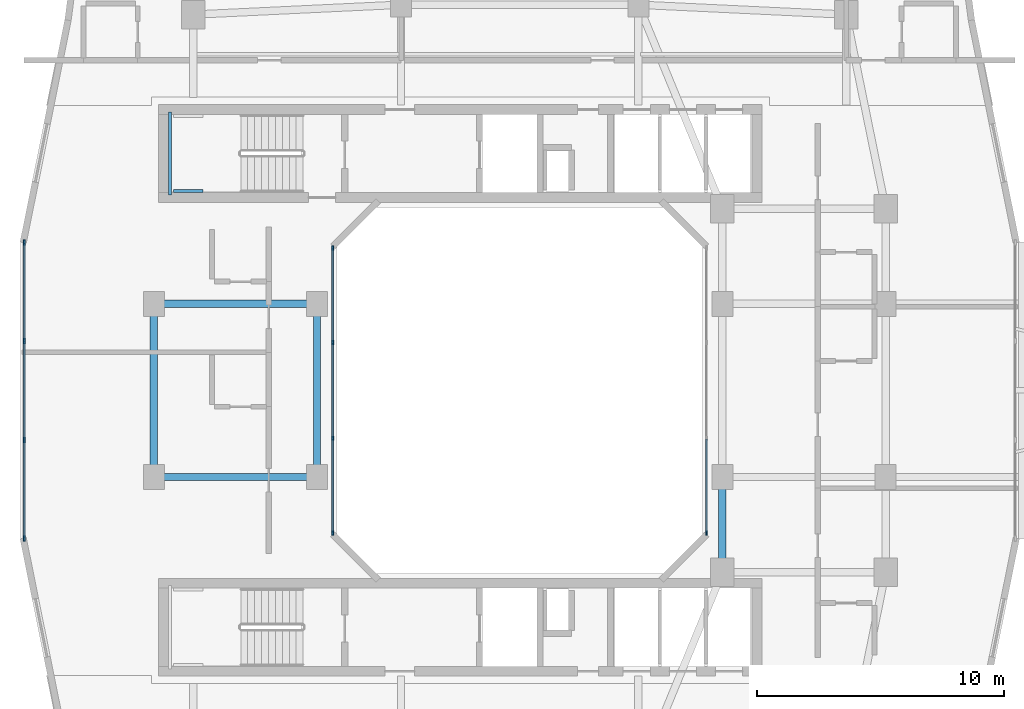
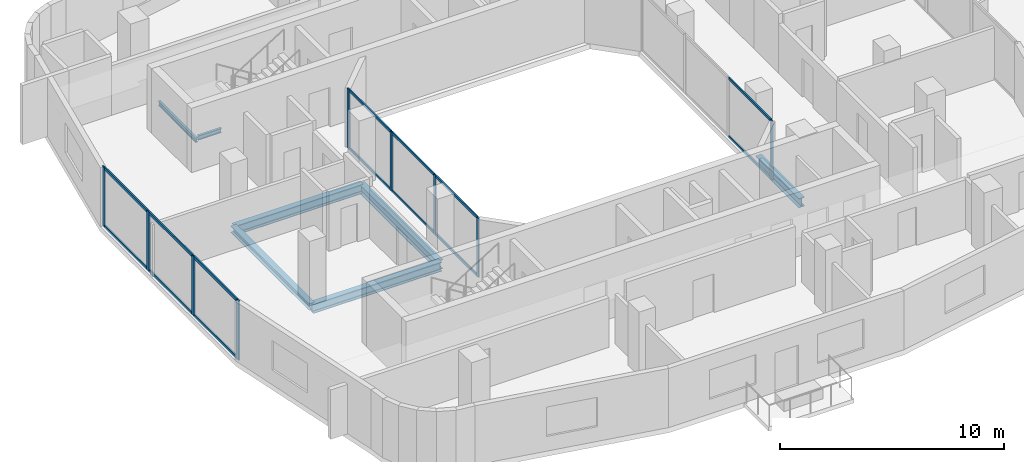
# One storey, part 2 of 22: 23 members, 7 beams, 3 elements without a shape of their own.
"""IFC4 building model written with IfcOpenShell, lengths in metres."""

from ifc_helpers import new_model, si_unit, derived_unit, direction, frame, origin, origin_2d, place, context, subcontext, project, spatial, rectangle, i_section, extrude, material, layer, layer_set, material_profile, profile_set, type_object, element, aggregate, save


model = new_model("IFC4")

# Units and contexts
model_context = context("Model", 3, precision=1e-05, world=origin(), true_north=direction((0.0, 1.0)))
body_context = subcontext(model_context, "Body", "Model", "MODEL_VIEW")
ifc_project = project(units=[si_unit("LENGTHUNIT", "METRE"), si_unit("AREAUNIT", "SQUARE_METRE"), si_unit("VOLUMEUNIT", "CUBIC_METRE"), si_unit("PLANEANGLEUNIT", "RADIAN"), si_unit("MASSUNIT", "GRAM", prefix="KILO"), derived_unit("THERMALTRANSMITTANCEUNIT", [(si_unit("POWERUNIT", "WATT"), 1), (si_unit("LENGTHUNIT", "METRE"), -2), (si_unit("THERMODYNAMICTEMPERATUREUNIT", "KELVIN"), -1)])], contexts=[model_context])

# Site, building, storey
site_placement = place(None, origin())
site = spatial("IfcSite", under=ifc_project, at=site_placement, CompositionType="ELEMENT")
building_placement = place(site_placement, origin())
building = spatial("IfcBuilding", under=site, at=building_placement, Name="Kivonza Crest Hotel", CompositionType="ELEMENT")
storey_placement = place(building_placement, frame((0.0, 0.0, 124.0)))
storey = spatial("IfcBuildingStorey", under=building, at=storey_placement, Name="L33", CompositionType="ELEMENT", Elevation=124.0)

# Beams
ifc_material_1 = material(Name="Steel S355", Category="steel")
ifc_material_profile_1 = material_profile(ifc_material_1, i_section(OverallWidth=0.300048828125, OverallDepth=0.360107421875, WebThickness=0.012451171875, FlangeThickness=0.0224609375, FilletRadius=0.027099609375, at=origin_2d()), Name="HEB 360")
ifc_profile_set_1 = profile_set([ifc_material_profile_1], Name="Steel S355")
beam_type_1 = type_object("IfcBeamType", Name="BM-HEB360", PredefinedType="SPANDREL", material=ifc_profile_set_1)
beam_1_placement = place(storey_placement, frame((6.199951171875, 28.5, -0.4599609375), z_axis=(0.0, -1.0, 0.0), x_axis=(1.0, 0.0, 0.0)))
element("IfcBeam", 1, at=beam_1_placement, inside=storey, type_object=beam_type_1, Name="Tower T1 L33 perimeter spandrel W2-W1", PredefinedType="SPANDREL", context=body_context, shape_type="SweptSolid", body=[
    extrude(i_section(OverallWidth=0.300048828125, OverallDepth=0.360107421875, WebThickness=0.012451171875, FlangeThickness=0.0224609375, FilletRadius=0.027099609375, at=origin_2d()), origin(), (0.0, 0.0, 1.0), 7.0),
])
ifc_material_profile_2 = material_profile(ifc_material_1, i_section(OverallWidth=0.300048828125, OverallDepth=0.5, WebThickness=0.014404296875, FlangeThickness=0.028076171875, FilletRadius=0.027099609375, at=origin_2d()), Name="HEB 500")
ifc_profile_set_2 = profile_set([ifc_material_profile_2], Name="Steel S355")
beam_type_2 = type_object("IfcBeamType", Name="BM-HEB500", PredefinedType="BEAM", material=ifc_profile_set_2)
for number, where, z_axis, x_axis, name in (
    (2, (6.199951171875, 21.5, -0.530029296875), (1.0, 0.0, 0.0), (0.0, 1.0, 0.0), "Tower T1 L33 primary girder W1-WL1"),
    (3, (6.199951171875, 28.5, -0.530029296875), (1.0, 0.0, 0.0), (0.0, 1.0, 0.0), "Tower T1 L33 primary girder W2-WL2"),
):
    element("IfcBeam", number, at=place(storey_placement, frame(where, z_axis=z_axis, x_axis=x_axis)), inside=storey, type_object=beam_type_2, Name=name, PredefinedType="BEAM", context=body_context, shape_type="SweptSolid", body=[
        extrude(i_section(OverallWidth=0.300048828125, OverallDepth=0.5, WebThickness=0.014404296875, FlangeThickness=0.028076171875, FilletRadius=0.027099609375, at=origin_2d()), origin(), (0.0, 0.0, 1.0), 6.60009765625),
    ])
beam_2_placement = place(storey_placement, frame((12.800048828125, 21.5, -0.530029296875), z_axis=(0.0, 1.0, 0.0), x_axis=(-1.0, 0.0, 0.0)))
element("IfcBeam", 4, at=beam_2_placement, inside=storey, type_object=beam_type_2, Name="Tower T1 L33 primary girder WL1-WL2", PredefinedType="BEAM", context=body_context, shape_type="SweptSolid", body=[
    extrude(i_section(OverallWidth=0.300048828125, OverallDepth=0.5, WebThickness=0.014404296875, FlangeThickness=0.028076171875, FilletRadius=0.027099609375, at=origin_2d()), origin(), (0.0, 0.0, 1.0), 7.0),
])
beam_3_placement = place(storey_placement, frame((29.199951171875, 17.64990234375, -0.530029296875), z_axis=(0.0, 1.0, 0.0), x_axis=(-1.0, 0.0, 0.0)))
element("IfcBeam", 5, at=beam_3_placement, inside=storey, type_object=beam_type_2, Name="Tower T1 L33 primary girder TSE-WR1", PredefinedType="BEAM", context=body_context, shape_type="SweptSolid", body=[
    extrude(i_section(OverallWidth=0.300048828125, OverallDepth=0.5, WebThickness=0.014404296875, FlangeThickness=0.028076171875, FilletRadius=0.027099609375, at=origin_2d()), origin(), (0.0, 0.0, 1.0), 3.85009765625),
])
ifc_material_profile_3 = material_profile(ifc_material_1, i_section(OverallWidth=0.1201171875, OverallDepth=0.239990234375, WebThickness=0.006103515625, FlangeThickness=0.009765625, FilletRadius=0.014892578125, at=origin_2d()), Name="IPE 240")
ifc_profile_set_3 = profile_set([ifc_material_profile_3], Name="Steel S355")
beam_type_3 = type_object("IfcBeamType", Name="BM-LLDG-240", PredefinedType="BEAM", material=ifc_profile_set_3)
beam_4_placement = place(storey_placement, frame((6.860107421875, 32.89990234375, 1.429931640625), z_axis=(0.0, 1.0, 0.0), x_axis=(-1.0, 0.0, 0.0)))
element("IfcBeam", 6, at=beam_4_placement, inside=storey, type_object=beam_type_3, Name="Stair ST-T1-N L33 West landing corbel", PredefinedType="BEAM", context=body_context, shape_type="SweptSolid", body=[
    extrude(i_section(OverallWidth=0.1201171875, OverallDepth=0.239990234375, WebThickness=0.006103515625, FlangeThickness=0.009765625, FilletRadius=0.014892578125, at=origin_2d()), origin(), (0.0, 0.0, 1.0), 3.360107421875),
])
beam_5_placement = place(storey_placement, frame((6.989990234375, 33.06005859375, 1.429931640625), z_axis=(1.0, 0.0, 0.0), x_axis=(0.0, 1.0, 0.0)))
element("IfcBeam", 7, at=beam_5_placement, inside=storey, type_object=beam_type_3, Name="Stair ST-T1-N L33 South landing corbel", PredefinedType="BEAM", context=body_context, shape_type="SweptSolid", body=[
    extrude(i_section(OverallWidth=0.1201171875, OverallDepth=0.239990234375, WebThickness=0.006103515625, FlangeThickness=0.009765625, FilletRadius=0.014892578125, at=origin_2d()), origin(), (0.0, 0.0, 1.0), 1.2099609375),
])

# Curtain wall, member
ifc_material_2 = material(Name="Anodised bronze aluminium and low-E double glazing", Category="aluminium")
ifc_layer_1 = layer(ifc_material_2, 0.159912109375)
ifc_layer_set_1 = layer_set([ifc_layer_1], Name="Anodised bronze aluminium and low-E double glazing")
curtain_wall_type_1 = type_object("IfcCurtainWallType", Name="CW-SYS-5", PredefinedType="NOTDEFINED", material=ifc_layer_set_1)
curtain_wall_1_placement = place(storey_placement, origin())
curtain_wall_1 = element("IfcCurtainWall", 8, at=curtain_wall_1_placement, inside=storey, type_object=curtain_wall_type_1, Name="L33 unitised curtain wall CW-WELL-T1-L33-3", PredefinedType="NOTDEFINED")
ifc_material_3 = material(Name="Anodised bronze aluminium", Category="aluminium")
ifc_material_profile_4 = material_profile(ifc_material_3, rectangle(XDim=0.06494140625, YDim=0.179931640625, at=origin_2d()), Name="CW-M 65x180")
ifc_profile_set_4 = profile_set([ifc_material_profile_4], Name="Anodised bronze aluminium")
member_type_1 = type_object("IfcMemberType", Name="CW-MUL-65x180", PredefinedType="MULLION", material=ifc_profile_set_4)
member_1_placement = place(storey_placement, frame((28.56005859375, 19.232421875, 0.0), z_axis=(0.0, 0.0, 1.0), x_axis=(-1.0, 0.0, 0.0)))
member_1 = element("IfcMember", 9, at=member_1_placement, type_object=member_type_1, Name="CW-5 mullion 1", PredefinedType="MULLION", context=body_context, shape_type="SweptSolid", body=[
    extrude(rectangle(XDim=0.06494140625, YDim=0.179931640625, at=origin_2d()), origin(), (0.0, 0.0, 1.0), 3.219970703125),
])

# Curtain wall, members
curtain_wall_2_placement = place(storey_placement, origin())
curtain_wall_2 = element("IfcCurtainWall", 10, at=curtain_wall_2_placement, inside=storey, type_object=curtain_wall_type_1, Name="L33 unitised curtain wall CW-WELL-T1-L33-7", PredefinedType="NOTDEFINED")
member_2_placement = place(storey_placement, frame((13.43994140625, 30.767578125, 0.0), z_axis=(0.0, 0.0, 1.0), x_axis=(1.0, 0.0, 0.0)))
member_2 = element("IfcMember", 11, at=member_2_placement, type_object=member_type_1, Name="CW-5 mullion 1", PredefinedType="MULLION", context=body_context, shape_type="SweptSolid", body=[
    extrude(rectangle(XDim=0.06494140625, YDim=0.179931640625, at=origin_2d()), origin(), (0.0, 0.0, 1.0), 3.219970703125),
])
member_3_placement = place(storey_placement, frame((13.43994140625, 26.933349609375, 0.0), z_axis=(0.0, 0.0, 1.0), x_axis=(1.0, 0.0, 0.0)))
member_3 = element("IfcMember", 12, at=member_3_placement, type_object=member_type_1, Name="CW-5 mullion 2", PredefinedType="MULLION", context=body_context, shape_type="SweptSolid", body=[
    extrude(rectangle(XDim=0.06494140625, YDim=0.179931640625, at=origin_2d()), origin(), (0.0, 0.0, 1.0), 3.219970703125),
])
member_4_placement = place(storey_placement, frame((13.43994140625, 23.066650390625, 0.0), z_axis=(0.0, 0.0, 1.0), x_axis=(1.0, 0.0, 0.0)))
member_4 = element("IfcMember", 13, at=member_4_placement, type_object=member_type_1, Name="CW-5 mullion 3", PredefinedType="MULLION", context=body_context, shape_type="SweptSolid", body=[
    extrude(rectangle(XDim=0.06494140625, YDim=0.179931640625, at=origin_2d()), origin(), (0.0, 0.0, 1.0), 3.219970703125),
])
member_5_placement = place(storey_placement, frame((13.43994140625, 19.232421875, 0.0), z_axis=(0.0, 0.0, 1.0), x_axis=(1.0, 0.0, 0.0)))
member_5 = element("IfcMember", 14, at=member_5_placement, type_object=member_type_1, Name="CW-5 mullion 4", PredefinedType="MULLION", context=body_context, shape_type="SweptSolid", body=[
    extrude(rectangle(XDim=0.06494140625, YDim=0.179931640625, at=origin_2d()), origin(), (0.0, 0.0, 1.0), 3.219970703125),
])

ifc_layer_2 = layer(ifc_material_2, 0.179931640625)
ifc_layer_set_2 = layer_set([ifc_layer_2], Name="Anodised bronze aluminium and low-E double glazing")
curtain_wall_type_2 = type_object("IfcCurtainWallType", Name="CW-SYS-3", PredefinedType="NOTDEFINED", material=ifc_layer_set_2)
curtain_wall_3_placement = place(storey_placement, origin())
curtain_wall_3 = element("IfcCurtainWall", 15, at=curtain_wall_3_placement, inside=storey, type_object=curtain_wall_type_2, Name="L33 unitised curtain wall CW-T1-L33-35", PredefinedType="NOTDEFINED")
ifc_material_profile_5 = material_profile(ifc_material_3, rectangle(XDim=0.074951171875, YDim=0.219970703125, at=origin_2d()), Name="CW-M 75x220")
ifc_profile_set_5 = profile_set([ifc_material_profile_5], Name="Anodised bronze aluminium")
member_type_2 = type_object("IfcMemberType", Name="CW-MUL-75x220", PredefinedType="MULLION", material=ifc_profile_set_5)
member_6_placement = place(storey_placement, frame((0.9599609375, 30.982421875, 0.0), z_axis=(0.0, 0.0, 1.0), x_axis=(1.0, 0.0, 0.0)))
member_6 = element("IfcMember", 16, at=member_6_placement, type_object=member_type_2, Name="CW-3 mullion 1", PredefinedType="MULLION", context=body_context, shape_type="SweptSolid", body=[
    extrude(rectangle(XDim=0.074951171875, YDim=0.219970703125, at=origin_2d()), origin(), (0.0, 0.0, 1.0), 3.219970703125),
])
member_7_placement = place(storey_placement, frame((0.9599609375, 27.006591796875, 0.0), z_axis=(0.0, 0.0, 1.0), x_axis=(1.0, 0.0, 0.0)))
member_7 = element("IfcMember", 17, at=member_7_placement, type_object=member_type_2, Name="CW-3 mullion 2", PredefinedType="MULLION", context=body_context, shape_type="SweptSolid", body=[
    extrude(rectangle(XDim=0.074951171875, YDim=0.219970703125, at=origin_2d()), origin(), (0.0, 0.0, 1.0), 3.219970703125),
])
member_8_placement = place(storey_placement, frame((0.9599609375, 22.993408203125, 0.0), z_axis=(0.0, 0.0, 1.0), x_axis=(1.0, 0.0, 0.0)))
member_8 = element("IfcMember", 18, at=member_8_placement, type_object=member_type_2, Name="CW-3 mullion 3", PredefinedType="MULLION", context=body_context, shape_type="SweptSolid", body=[
    extrude(rectangle(XDim=0.074951171875, YDim=0.219970703125, at=origin_2d()), origin(), (0.0, 0.0, 1.0), 3.219970703125),
])
member_9_placement = place(storey_placement, frame((0.9599609375, 19.017578125, 0.0), z_axis=(0.0, 0.0, 1.0), x_axis=(1.0, 0.0, 0.0)))
member_9 = element("IfcMember", 19, at=member_9_placement, type_object=member_type_2, Name="CW-3 mullion 4", PredefinedType="MULLION", context=body_context, shape_type="SweptSolid", body=[
    extrude(rectangle(XDim=0.074951171875, YDim=0.219970703125, at=origin_2d()), origin(), (0.0, 0.0, 1.0), 3.219970703125),
])

# Member
ifc_material_profile_6 = material_profile(ifc_material_3, rectangle(XDim=0.06494140625, YDim=0.139892578125, at=origin_2d()), Name="CW-T 65x140")
ifc_profile_set_6 = profile_set([ifc_material_profile_6], Name="Anodised bronze aluminium")
member_type_3 = type_object("IfcMemberType", Name="CW-TRN-65x140", PredefinedType="USERDEFINED", material=ifc_profile_set_6)
member_10_placement = place(storey_placement, frame((28.56005859375, 19.264892578125, 0.032470703125), z_axis=(0.0, 1.0, 0.0), x_axis=(-1.0, 0.0, 0.0)))
member_10 = element("IfcMember", 20, at=member_10_placement, type_object=member_type_3, Name="CW-5 transom 1.1", ObjectType="TRANSOM", PredefinedType="USERDEFINED", context=body_context, shape_type="SweptSolid", body=[
    extrude(rectangle(XDim=0.06494140625, YDim=0.139892578125, at=origin_2d()), origin(), (0.0, 0.0, 1.0), 3.769287109375),
])

member_11_placement = place(storey_placement, frame((28.56005859375, 19.264892578125, 3.1875), z_axis=(0.0, 1.0, 0.0), x_axis=(-1.0, 0.0, 0.0)))
member_11 = element("IfcMember", 21, at=member_11_placement, type_object=member_type_3, Name="CW-5 transom 1.2", ObjectType="TRANSOM", PredefinedType="USERDEFINED", context=body_context, shape_type="SweptSolid", body=[
    extrude(rectangle(XDim=0.06494140625, YDim=0.139892578125, at=origin_2d()), origin(), (0.0, 0.0, 1.0), 3.769287109375),
])

aggregate(curtain_wall_1, [member_1, member_10, member_11])

member_12_placement = place(storey_placement, frame((13.43994140625, 30.735107421875, 0.032470703125), z_axis=(0.0, -1.0, 0.0), x_axis=(1.0, 0.0, 0.0)))
member_12 = element("IfcMember", 22, at=member_12_placement, type_object=member_type_3, Name="CW-5 transom 1.1", ObjectType="TRANSOM", PredefinedType="USERDEFINED", context=body_context, shape_type="SweptSolid", body=[
    extrude(rectangle(XDim=0.06494140625, YDim=0.139892578125, at=origin_2d()), origin(), (0.0, 0.0, 1.0), 3.769287109375),
])

member_13_placement = place(storey_placement, frame((13.43994140625, 30.735107421875, 3.1875), z_axis=(0.0, -1.0, 0.0), x_axis=(1.0, 0.0, 0.0)))
member_13 = element("IfcMember", 23, at=member_13_placement, type_object=member_type_3, Name="CW-5 transom 1.2", ObjectType="TRANSOM", PredefinedType="USERDEFINED", context=body_context, shape_type="SweptSolid", body=[
    extrude(rectangle(XDim=0.06494140625, YDim=0.139892578125, at=origin_2d()), origin(), (0.0, 0.0, 1.0), 3.769287109375),
])

member_14_placement = place(storey_placement, frame((13.43994140625, 26.90087890625, 0.032470703125), z_axis=(0.0, -1.0, 0.0), x_axis=(1.0, 0.0, 0.0)))
member_14 = element("IfcMember", 24, at=member_14_placement, type_object=member_type_3, Name="CW-5 transom 2.1", ObjectType="TRANSOM", PredefinedType="USERDEFINED", context=body_context, shape_type="SweptSolid", body=[
    extrude(rectangle(XDim=0.06494140625, YDim=0.139892578125, at=origin_2d()), origin(), (0.0, 0.0, 1.0), 3.8017578125),
])

member_15_placement = place(storey_placement, frame((13.43994140625, 26.90087890625, 3.1875), z_axis=(0.0, -1.0, 0.0), x_axis=(1.0, 0.0, 0.0)))
member_15 = element("IfcMember", 25, at=member_15_placement, type_object=member_type_3, Name="CW-5 transom 2.2", ObjectType="TRANSOM", PredefinedType="USERDEFINED", context=body_context, shape_type="SweptSolid", body=[
    extrude(rectangle(XDim=0.06494140625, YDim=0.139892578125, at=origin_2d()), origin(), (0.0, 0.0, 1.0), 3.8017578125),
])

member_16_placement = place(storey_placement, frame((13.43994140625, 23.0341796875, 0.032470703125), z_axis=(0.0, -1.0, 0.0), x_axis=(1.0, 0.0, 0.0)))
member_16 = element("IfcMember", 26, at=member_16_placement, type_object=member_type_3, Name="CW-5 transom 3.1", ObjectType="TRANSOM", PredefinedType="USERDEFINED", context=body_context, shape_type="SweptSolid", body=[
    extrude(rectangle(XDim=0.06494140625, YDim=0.139892578125, at=origin_2d()), origin(), (0.0, 0.0, 1.0), 3.769287109375),
])

member_17_placement = place(storey_placement, frame((13.43994140625, 23.0341796875, 3.1875), z_axis=(0.0, -1.0, 0.0), x_axis=(1.0, 0.0, 0.0)))
member_17 = element("IfcMember", 27, at=member_17_placement, type_object=member_type_3, Name="CW-5 transom 3.2", ObjectType="TRANSOM", PredefinedType="USERDEFINED", context=body_context, shape_type="SweptSolid", body=[
    extrude(rectangle(XDim=0.06494140625, YDim=0.139892578125, at=origin_2d()), origin(), (0.0, 0.0, 1.0), 3.769287109375),
])

aggregate(curtain_wall_2, [member_2, member_3, member_4, member_5, member_12, member_13, member_14, member_15, member_16, member_17])

ifc_material_profile_7 = material_profile(ifc_material_3, rectangle(XDim=0.074951171875, YDim=0.159912109375, at=origin_2d()), Name="CW-T 75x160")
ifc_profile_set_7 = profile_set([ifc_material_profile_7], Name="Anodised bronze aluminium")
member_type_4 = type_object("IfcMemberType", Name="CW-TRN-75x160", PredefinedType="USERDEFINED", material=ifc_profile_set_7)
member_18_placement = place(storey_placement, frame((0.9599609375, 30.945068359375, 0.03759765625), z_axis=(0.0, -1.0, 0.0), x_axis=(1.0, 0.0, 0.0)))
member_18 = element("IfcMember", 28, at=member_18_placement, type_object=member_type_4, Name="CW-3 transom 1.1", ObjectType="TRANSOM", PredefinedType="USERDEFINED", context=body_context, shape_type="SweptSolid", body=[
    extrude(rectangle(XDim=0.074951171875, YDim=0.159912109375, at=origin_2d()), origin(), (0.0, 0.0, 1.0), 3.90087890625),
])

member_19_placement = place(storey_placement, frame((0.9599609375, 30.945068359375, 3.1826171875), z_axis=(0.0, -1.0, 0.0), x_axis=(1.0, 0.0, 0.0)))
member_19 = element("IfcMember", 29, at=member_19_placement, type_object=member_type_4, Name="CW-3 transom 1.2", ObjectType="TRANSOM", PredefinedType="USERDEFINED", context=body_context, shape_type="SweptSolid", body=[
    extrude(rectangle(XDim=0.074951171875, YDim=0.159912109375, at=origin_2d()), origin(), (0.0, 0.0, 1.0), 3.90087890625),
])

member_20_placement = place(storey_placement, frame((0.9599609375, 26.96923828125, 0.03759765625), z_axis=(0.0, -1.0, 0.0), x_axis=(1.0, 0.0, 0.0)))
member_20 = element("IfcMember", 30, at=member_20_placement, type_object=member_type_4, Name="CW-3 transom 2.1", ObjectType="TRANSOM", PredefinedType="USERDEFINED", context=body_context, shape_type="SweptSolid", body=[
    extrude(rectangle(XDim=0.074951171875, YDim=0.159912109375, at=origin_2d()), origin(), (0.0, 0.0, 1.0), 3.9384765625),
])

member_21_placement = place(storey_placement, frame((0.9599609375, 26.96923828125, 3.1826171875), z_axis=(0.0, -1.0, 0.0), x_axis=(1.0, 0.0, 0.0)))
member_21 = element("IfcMember", 31, at=member_21_placement, type_object=member_type_4, Name="CW-3 transom 2.2", ObjectType="TRANSOM", PredefinedType="USERDEFINED", context=body_context, shape_type="SweptSolid", body=[
    extrude(rectangle(XDim=0.074951171875, YDim=0.159912109375, at=origin_2d()), origin(), (0.0, 0.0, 1.0), 3.9384765625),
])

member_22_placement = place(storey_placement, frame((0.9599609375, 22.955810546875, 0.03759765625), z_axis=(0.0, -1.0, 0.0), x_axis=(1.0, 0.0, 0.0)))
member_22 = element("IfcMember", 32, at=member_22_placement, type_object=member_type_4, Name="CW-3 transom 3.1", ObjectType="TRANSOM", PredefinedType="USERDEFINED", context=body_context, shape_type="SweptSolid", body=[
    extrude(rectangle(XDim=0.074951171875, YDim=0.159912109375, at=origin_2d()), origin(), (0.0, 0.0, 1.0), 3.90087890625),
])

member_23_placement = place(storey_placement, frame((0.9599609375, 22.955810546875, 3.1826171875), z_axis=(0.0, -1.0, 0.0), x_axis=(1.0, 0.0, 0.0)))
member_23 = element("IfcMember", 33, at=member_23_placement, type_object=member_type_4, Name="CW-3 transom 3.2", ObjectType="TRANSOM", PredefinedType="USERDEFINED", context=body_context, shape_type="SweptSolid", body=[
    extrude(rectangle(XDim=0.074951171875, YDim=0.159912109375, at=origin_2d()), origin(), (0.0, 0.0, 1.0), 3.90087890625),
])

aggregate(curtain_wall_3, [member_6, member_7, member_8, member_9, member_18, member_19, member_20, member_21, member_22, member_23])

save(model, "model.ifc")
